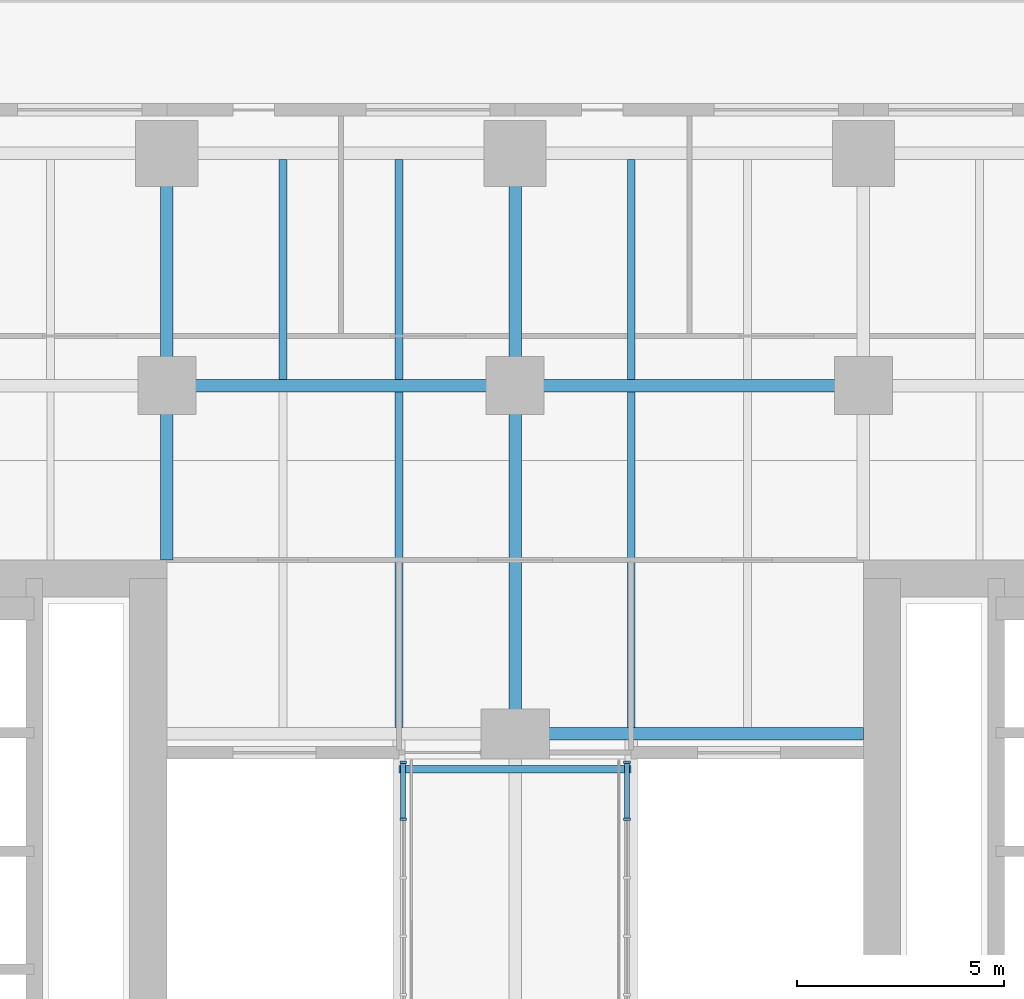
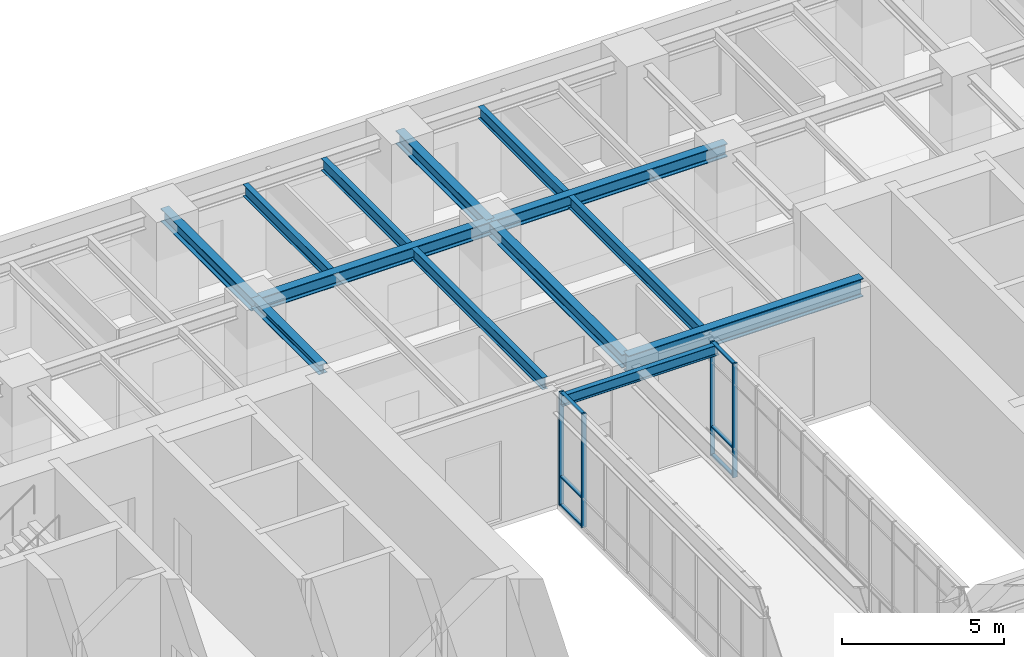
# One storey, part 5 of 17: 13 beams, 10 members, 2 elements without a shape of their own.
"""IFC4 building model written with IfcOpenShell, lengths in metres."""

import ifcopenshell
import ifcopenshell.guid

model = None  # the IFC model being written
_history = None  # IfcOwnerHistory: only IFC2X3 demands one
_inside = {}  # id of a spatial element -> (the spatial element, [elements in it])
_under = {}  # id of a project, library or spatial element -> (it, [spatial elements below it])
_declared = {}  # id of a project -> (the project, [libraries it declares])
_typed = {}  # id of a type object -> (the type object, [elements of that type])
_made_of = {}  # id of a material, layer set ... -> (it, [elements and type objects made of it])


def new_model(schema):
    """Start an empty IFC model of exactly this schema.

    Asked for "IFC4X3", IfcOpenShell would pick the latest addendum, in which some entities
    have other attributes; the version numbers below select the first issue.
    IFC2X3 requires an IfcOwnerHistory on every rooted entity: one is made here for all.
    """
    global model, _history
    if schema == "IFC4X3":
        model = ifcopenshell.file(schema_version=(4, 3, 0, 0))
    else:
        model = ifcopenshell.file(schema=schema)
    _inside.clear()
    _under.clear()
    _declared.clear()
    _typed.clear()
    _made_of.clear()
    _history = None
    if model.schema == "IFC2X3":
        org = make("IfcOrganization", Name="unknown")
        user = make(
            "IfcPersonAndOrganization",
            ThePerson=make("IfcPerson", FamilyName="unknown"),
            TheOrganization=org,
        )
        app = make(
            "IfcApplication",
            ApplicationDeveloper=org,
            Version="unknown",
            ApplicationFullName="unknown",
            ApplicationIdentifier="unknown",
        )
        _history = make(
            "IfcOwnerHistory",
            OwningUser=user,
            OwningApplication=app,
            ChangeAction="ADDED",
            CreationDate=0,
        )
    return model


def make(cls, **values):
    """One entity of the class cls with the attributes given. An attribute that is None is left unset."""
    return model.create_entity(
        cls, **{name: value for name, value in values.items() if value is not None}
    )


def rooted(cls, **values):
    """An entity with a GlobalId (a new one), such as an element, a storey or a relation."""
    return make(cls, GlobalId=ifcopenshell.guid.new(), OwnerHistory=_history, **values)


def si_unit(unit_type, name, prefix=None):
    """IfcSIUnit, for example si_unit("LENGTHUNIT", "METRE", prefix="MILLI")."""
    return make("IfcSIUnit", UnitType=unit_type, Prefix=prefix, Name=name)


def assignment(units):
    """IfcUnitAssignment: the units of a project."""
    return None if units is None else make("IfcUnitAssignment", Units=units)


def point(xyz):
    """IfcCartesianPoint."""
    return None if xyz is None else make("IfcCartesianPoint", Coordinates=xyz)


def direction(xyz):
    """IfcDirection."""
    return None if xyz is None else make("IfcDirection", DirectionRatios=xyz)


def frame(location, z_axis=None, x_axis=None):
    """IfcAxis2Placement3D, a coordinate frame: its origin and axes. An axis left out is left unset."""
    return make(
        "IfcAxis2Placement3D",
        Location=point(location),
        Axis=direction(z_axis),
        RefDirection=direction(x_axis),
    )


def frame_2d(location, x_axis=None):
    """IfcAxis2Placement2D, a coordinate frame in the plane: its origin and x axis."""
    return make(
        "IfcAxis2Placement2D", Location=point(location), RefDirection=direction(x_axis)
    )


def origin():
    """The frame at (0, 0, 0) with its axes left unset."""
    return frame((0.0, 0.0, 0.0))


def origin_2d():
    """The frame at (0, 0) in the plane with its x axis left unset."""
    return frame_2d((0.0, 0.0))


def place(relative_to, where):
    """IfcLocalPlacement: puts the frame where relative to a parent placement (None: the world)."""
    return make(
        "IfcLocalPlacement", PlacementRelTo=relative_to, RelativePlacement=where
    )


def context(
    kind, dimensions, precision=None, world=None, true_north=None, identifier=None
):
    """IfcGeometricRepresentationContext, for example the 3D "Model" context."""
    return make(
        "IfcGeometricRepresentationContext",
        ContextIdentifier=identifier,
        ContextType=kind,
        CoordinateSpaceDimension=dimensions,
        Precision=precision,
        WorldCoordinateSystem=world,
        TrueNorth=true_north,
    )


def subcontext(parent, identifier, kind, view, scale=None):
    """IfcGeometricRepresentationSubContext, for example "Body" below "Model"."""
    return make(
        "IfcGeometricRepresentationSubContext",
        ContextIdentifier=identifier,
        ContextType=kind,
        ParentContext=parent,
        TargetScale=scale,
        TargetView=view,
    )


def project(units=None, contexts=None):
    """IfcProject with its units and contexts."""
    return rooted(
        "IfcProject",
        Name="project",
        RepresentationContexts=contexts,
        UnitsInContext=assignment(units),
    )


def spatial(cls, under=None, at=None, **own):
    """A site, building, storey or space (cls), placed at a placement, below another one or the project."""
    s = rooted(cls, ObjectPlacement=at, **own)
    if under is not None:
        _under.setdefault(under.id(), (under, []))[1].append(s)
    return s


def profile(cls, at=None, kind="AREA", **sizes):
    """A parametric profile (cls). Its sizes go by their IFC names, for example OverallWidth=200.0."""
    return make(cls, ProfileType=kind, Position=at, **sizes)


def rectangle(**sizes):
    """IfcRectangleProfileDef."""
    return profile("IfcRectangleProfileDef", **sizes)


def i_section(**sizes):
    """IfcIShapeProfileDef."""
    return profile("IfcIShapeProfileDef", **sizes)


def extrude(swept, where, along, depth):
    """IfcExtrudedAreaSolid: the profile swept, set in the frame where, extruded along a direction by depth."""
    return make(
        "IfcExtrudedAreaSolid",
        SweptArea=swept,
        Position=where,
        ExtrudedDirection=direction(along),
        Depth=depth,
    )


def shape(context_of_items, identifier, shape_type, items):
    """IfcShapeRepresentation: the items that make up one representation, for example the "Body"."""
    return make(
        "IfcShapeRepresentation",
        ContextOfItems=context_of_items,
        RepresentationIdentifier=identifier,
        RepresentationType=shape_type,
        Items=items,
    )


def material(Name=None, Category=None):
    """IfcMaterial."""
    return make("IfcMaterial", Name=Name, Category=Category)


def material_profile(
    of_material, cross_section, Name=None, Category=None, Priority=None
):
    """IfcMaterialProfile: a cross section and its material."""
    return make(
        "IfcMaterialProfile",
        Name=Name,
        Material=of_material,
        Profile=cross_section,
        Priority=Priority,
        Category=Category,
    )


def profile_set(profiles, Name=None, composite=None):
    """IfcMaterialProfileSet."""
    return make(
        "IfcMaterialProfileSet",
        Name=Name,
        MaterialProfiles=profiles,
        CompositeProfile=composite,
    )


def made_of(thing, what):
    """Note that an element or type object is made of a material, layer set ...; save() writes the relation."""
    if what is not None:
        _made_of.setdefault(what.id(), (what, []))[1].append(thing)
    return thing


def type_object(cls, material=None, **own):
    """A type object (cls), such as IfcWallType, which elements share."""
    return made_of(rooted(cls, **own), material)


def element(
    cls,
    number,
    at=None,
    inside=None,
    cuts=None,
    type_object=None,
    material=None,
    context=None,
    identifier="Body",
    shape_type=None,
    held_by="IfcProductDefinitionShape",
    body=None,
    shapes=None,
    **own,
):
    """One element of the class cls, such as IfcWall. Its Tag is "e" and its number.

    at: its placement. inside: the storey or other place that contains it. cuts: it is an
    opening in that element (IfcRelVoidsElement). A single representation is given by context,
    identifier, shape_type and body (its items); several are given by shapes. held_by: the class
    of the entity that holds the representations. save() writes the other relations.
    """
    e = rooted(cls, Tag="e%d" % number, ObjectPlacement=at, **own)
    if body is not None:
        shapes = [shape(context, identifier, shape_type, body)]
    if shapes is not None:
        e.Representation = make(held_by, Representations=shapes)
    if inside is not None:
        _inside.setdefault(inside.id(), (inside, []))[1].append(e)
    if cuts is not None:
        rooted(
            "IfcRelVoidsElement", RelatingBuildingElement=cuts, RelatedOpeningElement=e
        )
    if type_object is not None:
        _typed.setdefault(type_object.id(), (type_object, []))[1].append(e)
    return made_of(e, material)


def aggregate(whole, parts):
    """IfcRelAggregates: a whole, such as a stair, and the parts it consists of."""
    return rooted("IfcRelAggregates", RelatingObject=whole, RelatedObjects=parts)


def save(model, path):
    """Write the relations noted so far, then the file.

    IfcRelAggregates (storeys below a building ...), IfcRelContainedInSpatialStructure (elements
    in a storey), IfcRelDefinesByType, IfcRelAssociatesMaterial and IfcRelDeclares: one each for
    every whole, place, type object, material and project.
    """
    for whole, parts in _under.values():
        aggregate(whole, parts)
    for where, things in _inside.values():
        rooted(
            "IfcRelContainedInSpatialStructure",
            RelatedElements=things,
            RelatingStructure=where,
        )
    for kind, things in _typed.values():
        rooted("IfcRelDefinesByType", RelatedObjects=things, RelatingType=kind)
    for what, things in _made_of.values():
        rooted("IfcRelAssociatesMaterial", RelatedObjects=things, RelatingMaterial=what)
    for by, libraries in _declared.values():
        rooted("IfcRelDeclares", RelatingContext=by, RelatedDefinitions=libraries)
    model.write(path)


model = new_model("IFC4")

# Units and contexts
model_context = context("Model", 3, precision=1e-05, world=origin(), true_north=direction((0.0, 1.0)))
body_context = subcontext(model_context, "Body", "Model", "MODEL_VIEW")
ifc_project = project(units=[si_unit("LENGTHUNIT", "METRE"), si_unit("AREAUNIT", "SQUARE_METRE"), si_unit("VOLUMEUNIT", "CUBIC_METRE"), si_unit("PLANEANGLEUNIT", "RADIAN"), si_unit("MASSUNIT", "GRAM", prefix="KILO")], contexts=[model_context])

# Site, building, storey
site_placement = place(None, origin())
site = spatial("IfcSite", under=ifc_project, at=site_placement, CompositionType="ELEMENT")
building_placement = place(site_placement, origin())
building = spatial("IfcBuilding", under=site, at=building_placement, Name="Claustro Exchange Tower", CompositionType="ELEMENT")
storey_placement = place(building_placement, frame((0.0, 0.0, 96.300048828125)))
storey = spatial("IfcBuildingStorey", under=building, at=storey_placement, Name="L21", CompositionType="ELEMENT", Elevation=96.300048828125)

# Beams
ifc_material_1 = material(Name="Steel S355", Category="steel")
ifc_material_profile_1 = material_profile(ifc_material_1, i_section(OverallWidth=0.300048828125, OverallDepth=0.68994140625, WebThickness=0.014404296875, FlangeThickness=0.027099609375, FilletRadius=0.027099609375, at=origin_2d()), Name="HE 700 A")
ifc_profile_set_1 = profile_set([ifc_material_profile_1], Name="Steel S355")
beam_type_1 = type_object("IfcBeamType", Name="B13 HE 700 A light well edge girder", PredefinedType="BEAM", material=ifc_profile_set_1)
beam_1_placement = place(storey_placement, frame((25.199951171875, 33.60009765625, 4.0048828125), z_axis=(1.0, 0.0, 0.0), x_axis=(0.0, 1.0, 0.0)))
element("IfcBeam", 1, at=beam_1_placement, inside=storey, type_object=beam_type_1, Name="Beam B13 L22", PredefinedType="BEAM", context=body_context, shape_type="SweptSolid", body=[
    extrude(i_section(OverallWidth=0.300048828125, OverallDepth=0.68994140625, WebThickness=0.014404296875, FlangeThickness=0.027099609375, FilletRadius=0.027099609375, at=origin_2d()), origin(), (0.0, 0.0, 1.0), 8.400146484375),
])
ifc_material_2 = material(Name="Steel S355", Category="steel")
ifc_material_profile_2 = material_profile(ifc_material_2, i_section(OverallWidth=0.179931640625, OverallDepth=0.39990234375, WebThickness=0.008544921875, FlangeThickness=0.013427734375, FilletRadius=0.02099609375, at=origin_2d()), Name="IPE 400")
ifc_profile_set_2 = profile_set([ifc_material_profile_2], Name="Steel S355")
beam_type_2 = type_object("IfcBeamType", Name="B21 IPE 400 sky bridge end trimmer", PredefinedType="BEAM", material=ifc_profile_set_2)
beam_2_placement = place(storey_placement, frame((22.39990234375, 32.75, 4.099853515625), z_axis=(1.0, 0.0, 0.0), x_axis=(0.0, 1.0, 0.0)))
element("IfcBeam", 2, at=beam_2_placement, inside=storey, type_object=beam_type_2, Name="Sky bridge end trimmer B21 L21", PredefinedType="BEAM", context=body_context, shape_type="SweptSolid", body=[
    extrude(i_section(OverallWidth=0.179931640625, OverallDepth=0.39990234375, WebThickness=0.008544921875, FlangeThickness=0.013427734375, FilletRadius=0.02099609375, at=origin_2d()), origin(), (0.0, 0.0, 1.0), 5.60009765625),
])
ifc_material_3 = material(Name="Steel S355", Category="steel")
ifc_material_profile_3 = material_profile(ifc_material_3, i_section(OverallWidth=0.300048828125, OverallDepth=0.360107421875, WebThickness=0.012451171875, FlangeThickness=0.0224609375, FilletRadius=0.027099609375, at=origin_2d()), Name="HE 360 B")
ifc_profile_set_3 = profile_set([ifc_material_profile_3], Name="Steel S355")
beam_type_3 = type_object("IfcBeamType", Name="B29 HE 360 B column to core link beam", PredefinedType="BEAM", material=ifc_profile_set_3)
beam_3_placement = place(storey_placement, frame((16.800048828125, 37.800048828125, 4.169921875), z_axis=(0.0, 1.0, 0.0), x_axis=(-1.0, 0.0, 0.0)))
element("IfcBeam", 3, at=beam_3_placement, inside=storey, type_object=beam_type_3, Name="Beam B29 L22", PredefinedType="BEAM", context=body_context, shape_type="SweptSolid", body=[
    extrude(i_section(OverallWidth=0.300048828125, OverallDepth=0.360107421875, WebThickness=0.012451171875, FlangeThickness=0.0224609375, FilletRadius=0.027099609375, at=origin_2d()), origin(), (0.0, 0.0, 1.0), 4.199951171875),
])
ifc_material_4 = material(Name="Steel S355", Category="steel")
ifc_material_profile_4 = material_profile(ifc_material_4, i_section(OverallWidth=0.300048828125, OverallDepth=0.5, WebThickness=0.014404296875, FlangeThickness=0.028076171875, FilletRadius=0.027099609375, at=origin_2d()), Name="HE 500 B")
ifc_profile_set_4 = profile_set([ifc_material_profile_4], Name="Steel S355")
beam_type_4 = type_object("IfcBeamType", Name="B7 HE 500 B floor girder", PredefinedType="BEAM", material=ifc_profile_set_4)
beam_4_placement = place(storey_placement, frame((16.800048828125, 42.0, 4.099853515625), z_axis=(0.0, 1.0, 0.0), x_axis=(-1.0, 0.0, 0.0)))
element("IfcBeam", 4, at=beam_4_placement, inside=storey, type_object=beam_type_4, Name="Beam B7 L22", PredefinedType="BEAM", context=body_context, shape_type="SweptSolid", body=[
    extrude(i_section(OverallWidth=0.300048828125, OverallDepth=0.5, WebThickness=0.014404296875, FlangeThickness=0.028076171875, FilletRadius=0.027099609375, at=origin_2d()), origin(), (0.0, 0.0, 1.0), 5.60009765625),
])
beam_5_placement = place(storey_placement, frame((25.199951171875, 33.60009765625, 4.099853515625), z_axis=(0.0, 1.0, 0.0), x_axis=(-1.0, 0.0, 0.0)))
element("IfcBeam", 5, at=beam_5_placement, inside=storey, type_object=beam_type_4, Name="Beam B7 L22", PredefinedType="BEAM", context=body_context, shape_type="SweptSolid", body=[
    extrude(i_section(OverallWidth=0.300048828125, OverallDepth=0.5, WebThickness=0.014404296875, FlangeThickness=0.028076171875, FilletRadius=0.027099609375, at=origin_2d()), origin(), (0.0, 0.0, 1.0), 8.39990234375),
])
beam_6_placement = place(storey_placement, frame((25.199951171875, 42.0, 4.099853515625), z_axis=(0.0, 1.0, 0.0), x_axis=(-1.0, 0.0, 0.0)))
element("IfcBeam", 6, at=beam_6_placement, inside=storey, type_object=beam_type_4, Name="Beam B7 L22", PredefinedType="BEAM", context=body_context, shape_type="SweptSolid", body=[
    extrude(i_section(OverallWidth=0.300048828125, OverallDepth=0.5, WebThickness=0.014404296875, FlangeThickness=0.028076171875, FilletRadius=0.027099609375, at=origin_2d()), origin(), (0.0, 0.0, 1.0), 5.60009765625),
])
beam_7_placement = place(storey_placement, frame((16.800048828125, 42.0, 4.099853515625), z_axis=(1.0, 0.0, 0.0), x_axis=(0.0, 1.0, 0.0)))
element("IfcBeam", 7, at=beam_7_placement, inside=storey, type_object=beam_type_4, Name="Beam B7 L22", PredefinedType="BEAM", context=body_context, shape_type="SweptSolid", body=[
    extrude(i_section(OverallWidth=0.300048828125, OverallDepth=0.5, WebThickness=0.014404296875, FlangeThickness=0.028076171875, FilletRadius=0.027099609375, at=origin_2d()), origin(), (0.0, 0.0, 1.0), 8.39990234375),
])
beam_8_placement = place(storey_placement, frame((25.199951171875, 42.0, 4.099853515625), z_axis=(1.0, 0.0, 0.0), x_axis=(0.0, 1.0, 0.0)))
element("IfcBeam", 8, at=beam_8_placement, inside=storey, type_object=beam_type_4, Name="Beam B7 L22", PredefinedType="BEAM", context=body_context, shape_type="SweptSolid", body=[
    extrude(i_section(OverallWidth=0.300048828125, OverallDepth=0.5, WebThickness=0.014404296875, FlangeThickness=0.028076171875, FilletRadius=0.027099609375, at=origin_2d()), origin(), (0.0, 0.0, 1.0), 8.400146484375),
])
ifc_material_5 = material(Name="Steel S355", Category="steel")
ifc_material_profile_5 = material_profile(ifc_material_5, i_section(OverallWidth=0.18994140625, OverallDepth=0.449951171875, WebThickness=0.009521484375, FlangeThickness=0.0146484375, FilletRadius=0.02099609375, at=origin_2d()), Name="IPE 450")
ifc_profile_set_5 = profile_set([ifc_material_profile_5], Name="Steel S355")
beam_type_5 = type_object("IfcBeamType", Name="B8 IPE 450 secondary beam", PredefinedType="BEAM", material=ifc_profile_set_5)
beam_9_placement = place(storey_placement, frame((22.39990234375, 33.75, 4.125), z_axis=(0.0, 1.0, 0.0), x_axis=(-1.0, 0.0, 0.0)))
element("IfcBeam", 9, at=beam_9_placement, inside=storey, type_object=beam_type_5, Name="Beam B8 L22", PredefinedType="BEAM", context=body_context, shape_type="SweptSolid", body=[
    extrude(i_section(OverallWidth=0.18994140625, OverallDepth=0.449951171875, WebThickness=0.009521484375, FlangeThickness=0.0146484375, FilletRadius=0.02099609375, at=origin_2d()), origin(), (0.0, 0.0, 1.0), 8.10009765625),
])
for number, where, z_axis, x_axis, name in (
    (10, (19.60009765625, 42.14990234375, 4.125), (0.0, 1.0, 0.0), (-1.0, 0.0, 0.0), "Beam B8 L22"),
    (11, (22.39990234375, 42.14990234375, 4.125), (0.0, 1.0, 0.0), (-1.0, 0.0, 0.0), "Beam B8 L22"),
):
    element("IfcBeam", number, at=place(storey_placement, frame(where, z_axis=z_axis, x_axis=x_axis)), inside=storey, type_object=beam_type_5, Name=name, PredefinedType="BEAM", context=body_context, shape_type="SweptSolid", body=[
        extrude(i_section(OverallWidth=0.18994140625, OverallDepth=0.449951171875, WebThickness=0.009521484375, FlangeThickness=0.0146484375, FilletRadius=0.02099609375, at=origin_2d()), origin(), (0.0, 0.0, 1.0), 5.300048828125),
    ])
beam_10_placement = place(storey_placement, frame((28.0, 33.75, 4.125), z_axis=(0.0, 1.0, 0.0), x_axis=(-1.0, 0.0, 0.0)))
element("IfcBeam", 12, at=beam_10_placement, inside=storey, type_object=beam_type_5, Name="Beam B8 L22", PredefinedType="BEAM", context=body_context, shape_type="SweptSolid", body=[
    extrude(i_section(OverallWidth=0.18994140625, OverallDepth=0.449951171875, WebThickness=0.009521484375, FlangeThickness=0.0146484375, FilletRadius=0.02099609375, at=origin_2d()), origin(), (0.0, 0.0, 1.0), 8.10009765625),
])
beam_11_placement = place(storey_placement, frame((28.0, 42.14990234375, 4.125), z_axis=(0.0, 1.0, 0.0), x_axis=(-1.0, 0.0, 0.0)))
element("IfcBeam", 13, at=beam_11_placement, inside=storey, type_object=beam_type_5, Name="Beam B8 L22", PredefinedType="BEAM", context=body_context, shape_type="SweptSolid", body=[
    extrude(i_section(OverallWidth=0.18994140625, OverallDepth=0.449951171875, WebThickness=0.009521484375, FlangeThickness=0.0146484375, FilletRadius=0.02099609375, at=origin_2d()), origin(), (0.0, 0.0, 1.0), 5.300048828125),
])

# Curtain wall, members
ifc_material_6 = material(Name="Aluminium frame, clear double glazing", Category="aluminium")
curtain_wall_type = type_object("IfcCurtainWallType", Name="CW2 sky bridge curtain wall", PredefinedType="USERDEFINED", material=ifc_material_6)
curtain_wall_1_placement = place(storey_placement, origin())
curtain_wall_1 = element("IfcCurtainWall", 14, at=curtain_wall_1_placement, inside=storey, type_object=curtain_wall_type, Name="Curtain wall CW2 L21", ObjectType="STICK CURTAIN WALL", PredefinedType="USERDEFINED")
ifc_material_7 = material(Name="Aluminium mullion", Category="aluminium")
ifc_material_profile_6 = material_profile(ifc_material_7, rectangle(XDim=0.159912109375, YDim=0.06005859375, at=origin_2d()), Name="CW2-M 60x160")
ifc_profile_set_6 = profile_set([ifc_material_profile_6], Name="Aluminium mullion")
member_type_1 = type_object("IfcMemberType", Name="CW2-M 60 x 160 mullion", PredefinedType="MULLION", material=ifc_profile_set_6)
member_1_placement = place(storey_placement, frame((22.5, 31.541015625, 0.0), z_axis=(0.0, 0.0, 1.0), x_axis=(-1.0, 0.0, 0.0)))
member_1 = element("IfcMember", 15, at=member_1_placement, type_object=member_type_1, Name="CW2 mullion 11", PredefinedType="MULLION", context=body_context, shape_type="SweptSolid", body=[
    extrude(rectangle(XDim=0.159912109375, YDim=0.06005859375, at=origin_2d()), origin(), (0.0, 0.0, 1.0), 4.300048828125),
])
member_2_placement = place(storey_placement, frame((22.5, 32.919921875, 0.0), z_axis=(0.0, 0.0, 1.0), x_axis=(-1.0, 0.0, 0.0)))
member_2 = element("IfcMember", 16, at=member_2_placement, type_object=member_type_1, Name="CW2 mullion 12", PredefinedType="MULLION", context=body_context, shape_type="SweptSolid", body=[
    extrude(rectangle(XDim=0.159912109375, YDim=0.06005859375, at=origin_2d()), origin(), (0.0, 0.0, 1.0), 4.300048828125),
])

curtain_wall_2_placement = place(storey_placement, origin())
curtain_wall_2 = element("IfcCurtainWall", 17, at=curtain_wall_2_placement, inside=storey, type_object=curtain_wall_type, Name="Curtain wall CW2 L21", ObjectType="STICK CURTAIN WALL", PredefinedType="USERDEFINED")
member_3_placement = place(storey_placement, frame((27.89990234375, 31.541015625, 0.0), z_axis=(0.0, 0.0, 1.0), x_axis=(-1.0, 0.0, 0.0)))
member_3 = element("IfcMember", 18, at=member_3_placement, type_object=member_type_1, Name="CW2 mullion 11", PredefinedType="MULLION", context=body_context, shape_type="SweptSolid", body=[
    extrude(rectangle(XDim=0.159912109375, YDim=0.06005859375, at=origin_2d()), origin(), (0.0, 0.0, 1.0), 4.300048828125),
])
member_4_placement = place(storey_placement, frame((27.89990234375, 32.919921875, 0.0), z_axis=(0.0, 0.0, 1.0), x_axis=(-1.0, 0.0, 0.0)))
member_4 = element("IfcMember", 19, at=member_4_placement, type_object=member_type_1, Name="CW2 mullion 12", PredefinedType="MULLION", context=body_context, shape_type="SweptSolid", body=[
    extrude(rectangle(XDim=0.159912109375, YDim=0.06005859375, at=origin_2d()), origin(), (0.0, 0.0, 1.0), 4.300048828125),
])

# Member
ifc_material_8 = material(Name="Aluminium transom", Category="aluminium")
ifc_material_profile_7 = material_profile(ifc_material_8, rectangle(XDim=0.1201171875, YDim=0.06005859375, at=origin_2d()), Name="CW2-T 60x120")
ifc_profile_set_7 = profile_set([ifc_material_profile_7], Name="Aluminium transom")
member_type_2 = type_object("IfcMemberType", Name="CW2-T 60 x 120 transom", PredefinedType="USERDEFINED", material=ifc_profile_set_7)
member_5_placement = place(storey_placement, frame((22.5, 31.57080078125, 0.030029296875), z_axis=(0.0, 1.0, 0.0), x_axis=(-1.0, 0.0, 0.0)))
member_5 = element("IfcMember", 20, at=member_5_placement, type_object=member_type_2, Name="CW2 transom 11.1", ObjectType="TRANSOM", PredefinedType="USERDEFINED", context=body_context, shape_type="SweptSolid", body=[
    extrude(rectangle(XDim=0.1201171875, YDim=0.06005859375, at=origin_2d()), origin(), (0.0, 0.0, 1.0), 1.319091796875),
])

member_6_placement = place(storey_placement, frame((22.5, 31.57080078125, 1.099853515625), z_axis=(0.0, 1.0, 0.0), x_axis=(-1.0, 0.0, 0.0)))
member_6 = element("IfcMember", 21, at=member_6_placement, type_object=member_type_2, Name="CW2 transom 11.2", ObjectType="TRANSOM", PredefinedType="USERDEFINED", context=body_context, shape_type="SweptSolid", body=[
    extrude(rectangle(XDim=0.1201171875, YDim=0.06005859375, at=origin_2d()), origin(), (0.0, 0.0, 1.0), 1.319091796875),
])

member_7_placement = place(storey_placement, frame((22.5, 31.57080078125, 4.27001953125), z_axis=(0.0, 1.0, 0.0), x_axis=(-1.0, 0.0, 0.0)))
member_7 = element("IfcMember", 22, at=member_7_placement, type_object=member_type_2, Name="CW2 transom 11.3", ObjectType="TRANSOM", PredefinedType="USERDEFINED", context=body_context, shape_type="SweptSolid", body=[
    extrude(rectangle(XDim=0.1201171875, YDim=0.06005859375, at=origin_2d()), origin(), (0.0, 0.0, 1.0), 1.319091796875),
])

aggregate(curtain_wall_1, [member_1, member_2, member_5, member_6, member_7])

member_8_placement = place(storey_placement, frame((27.89990234375, 31.57080078125, 0.030029296875), z_axis=(0.0, 1.0, 0.0), x_axis=(-1.0, 0.0, 0.0)))
member_8 = element("IfcMember", 23, at=member_8_placement, type_object=member_type_2, Name="CW2 transom 11.1", ObjectType="TRANSOM", PredefinedType="USERDEFINED", context=body_context, shape_type="SweptSolid", body=[
    extrude(rectangle(XDim=0.1201171875, YDim=0.06005859375, at=origin_2d()), origin(), (0.0, 0.0, 1.0), 1.319091796875),
])

member_9_placement = place(storey_placement, frame((27.89990234375, 31.57080078125, 1.099853515625), z_axis=(0.0, 1.0, 0.0), x_axis=(-1.0, 0.0, 0.0)))
member_9 = element("IfcMember", 24, at=member_9_placement, type_object=member_type_2, Name="CW2 transom 11.2", ObjectType="TRANSOM", PredefinedType="USERDEFINED", context=body_context, shape_type="SweptSolid", body=[
    extrude(rectangle(XDim=0.1201171875, YDim=0.06005859375, at=origin_2d()), origin(), (0.0, 0.0, 1.0), 1.319091796875),
])

member_10_placement = place(storey_placement, frame((27.89990234375, 31.57080078125, 4.27001953125), z_axis=(0.0, 1.0, 0.0), x_axis=(-1.0, 0.0, 0.0)))
member_10 = element("IfcMember", 25, at=member_10_placement, type_object=member_type_2, Name="CW2 transom 11.3", ObjectType="TRANSOM", PredefinedType="USERDEFINED", context=body_context, shape_type="SweptSolid", body=[
    extrude(rectangle(XDim=0.1201171875, YDim=0.06005859375, at=origin_2d()), origin(), (0.0, 0.0, 1.0), 1.319091796875),
])

aggregate(curtain_wall_2, [member_3, member_4, member_8, member_9, member_10])

save(model, "model.ifc")
